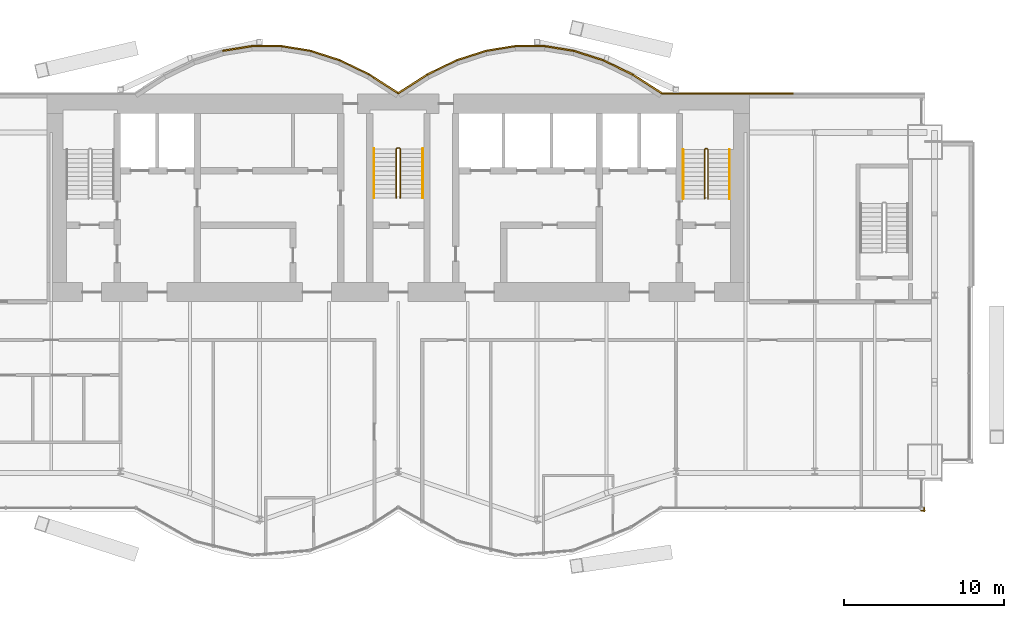
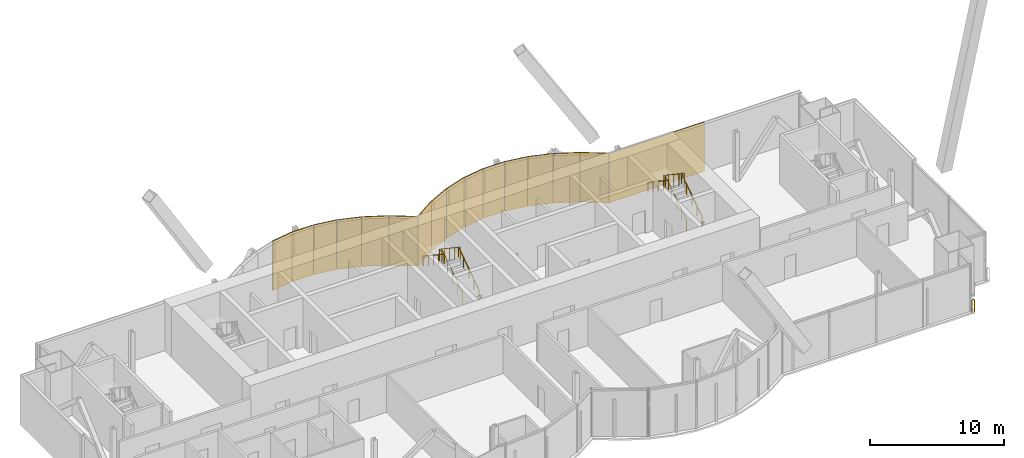
# One storey, part 21 of 22: 16 coverings, 7 railings.
"""IFC4 building model written with IfcOpenShell, lengths in metres."""

import ifcopenshell
import ifcopenshell.guid

model = None  # the IFC model being written
_history = None  # IfcOwnerHistory: only IFC2X3 demands one
_inside = {}  # id of a spatial element -> (the spatial element, [elements in it])
_under = {}  # id of a project, library or spatial element -> (it, [spatial elements below it])
_declared = {}  # id of a project -> (the project, [libraries it declares])
_typed = {}  # id of a type object -> (the type object, [elements of that type])
_made_of = {}  # id of a material, layer set ... -> (it, [elements and type objects made of it])


def new_model(schema):
    """Start an empty IFC model of exactly this schema.

    Asked for "IFC4X3", IfcOpenShell would pick the latest addendum, in which some entities
    have other attributes; the version numbers below select the first issue.
    IFC2X3 requires an IfcOwnerHistory on every rooted entity: one is made here for all.
    """
    global model, _history
    if schema == "IFC4X3":
        model = ifcopenshell.file(schema_version=(4, 3, 0, 0))
    else:
        model = ifcopenshell.file(schema=schema)
    _inside.clear()
    _under.clear()
    _declared.clear()
    _typed.clear()
    _made_of.clear()
    _history = None
    if model.schema == "IFC2X3":
        org = make("IfcOrganization", Name="unknown")
        user = make(
            "IfcPersonAndOrganization",
            ThePerson=make("IfcPerson", FamilyName="unknown"),
            TheOrganization=org,
        )
        app = make(
            "IfcApplication",
            ApplicationDeveloper=org,
            Version="unknown",
            ApplicationFullName="unknown",
            ApplicationIdentifier="unknown",
        )
        _history = make(
            "IfcOwnerHistory",
            OwningUser=user,
            OwningApplication=app,
            ChangeAction="ADDED",
            CreationDate=0,
        )
    return model


def make(cls, **values):
    """One entity of the class cls with the attributes given. An attribute that is None is left unset."""
    return model.create_entity(
        cls, **{name: value for name, value in values.items() if value is not None}
    )


def rooted(cls, **values):
    """An entity with a GlobalId (a new one), such as an element, a storey or a relation."""
    return make(cls, GlobalId=ifcopenshell.guid.new(), OwnerHistory=_history, **values)


def si_unit(unit_type, name, prefix=None):
    """IfcSIUnit, for example si_unit("LENGTHUNIT", "METRE", prefix="MILLI")."""
    return make("IfcSIUnit", UnitType=unit_type, Prefix=prefix, Name=name)


def assignment(units):
    """IfcUnitAssignment: the units of a project."""
    return None if units is None else make("IfcUnitAssignment", Units=units)


def point(xyz):
    """IfcCartesianPoint."""
    return None if xyz is None else make("IfcCartesianPoint", Coordinates=xyz)


def direction(xyz):
    """IfcDirection."""
    return None if xyz is None else make("IfcDirection", DirectionRatios=xyz)


def frame(location, z_axis=None, x_axis=None):
    """IfcAxis2Placement3D, a coordinate frame: its origin and axes. An axis left out is left unset."""
    return make(
        "IfcAxis2Placement3D",
        Location=point(location),
        Axis=direction(z_axis),
        RefDirection=direction(x_axis),
    )


def frame_2d(location, x_axis=None):
    """IfcAxis2Placement2D, a coordinate frame in the plane: its origin and x axis."""
    return make(
        "IfcAxis2Placement2D", Location=point(location), RefDirection=direction(x_axis)
    )


def origin():
    """The frame at (0, 0, 0) with its axes left unset."""
    return frame((0.0, 0.0, 0.0))


def origin_2d():
    """The frame at (0, 0) in the plane with its x axis left unset."""
    return frame_2d((0.0, 0.0))


def place(relative_to, where):
    """IfcLocalPlacement: puts the frame where relative to a parent placement (None: the world)."""
    return make(
        "IfcLocalPlacement", PlacementRelTo=relative_to, RelativePlacement=where
    )


def context(
    kind, dimensions, precision=None, world=None, true_north=None, identifier=None
):
    """IfcGeometricRepresentationContext, for example the 3D "Model" context."""
    return make(
        "IfcGeometricRepresentationContext",
        ContextIdentifier=identifier,
        ContextType=kind,
        CoordinateSpaceDimension=dimensions,
        Precision=precision,
        WorldCoordinateSystem=world,
        TrueNorth=true_north,
    )


def subcontext(parent, identifier, kind, view, scale=None):
    """IfcGeometricRepresentationSubContext, for example "Body" below "Model"."""
    return make(
        "IfcGeometricRepresentationSubContext",
        ContextIdentifier=identifier,
        ContextType=kind,
        ParentContext=parent,
        TargetScale=scale,
        TargetView=view,
    )


def project(units=None, contexts=None):
    """IfcProject with its units and contexts."""
    return rooted(
        "IfcProject",
        Name="project",
        RepresentationContexts=contexts,
        UnitsInContext=assignment(units),
    )


def spatial(cls, under=None, at=None, **own):
    """A site, building, storey or space (cls), placed at a placement, below another one or the project."""
    s = rooted(cls, ObjectPlacement=at, **own)
    if under is not None:
        _under.setdefault(under.id(), (under, []))[1].append(s)
    return s


def profile(cls, at=None, kind="AREA", **sizes):
    """A parametric profile (cls). Its sizes go by their IFC names, for example OverallWidth=200.0."""
    return make(cls, ProfileType=kind, Position=at, **sizes)


def rectangle(**sizes):
    """IfcRectangleProfileDef."""
    return profile("IfcRectangleProfileDef", **sizes)


def circle(**sizes):
    """IfcCircleProfileDef."""
    return profile("IfcCircleProfileDef", **sizes)


def extrude(swept, where, along, depth):
    """IfcExtrudedAreaSolid: the profile swept, set in the frame where, extruded along a direction by depth."""
    return make(
        "IfcExtrudedAreaSolid",
        SweptArea=swept,
        Position=where,
        ExtrudedDirection=direction(along),
        Depth=depth,
    )


def shape(context_of_items, identifier, shape_type, items):
    """IfcShapeRepresentation: the items that make up one representation, for example the "Body"."""
    return make(
        "IfcShapeRepresentation",
        ContextOfItems=context_of_items,
        RepresentationIdentifier=identifier,
        RepresentationType=shape_type,
        Items=items,
    )


def material(Name=None, Category=None):
    """IfcMaterial."""
    return make("IfcMaterial", Name=Name, Category=Category)


def layer(
    of_material, thickness, ventilated=None, Name=None, Category=None, Priority=None
):
    """IfcMaterialLayer: one layer of a wall or slab, of a material (None: an air gap)."""
    return make(
        "IfcMaterialLayer",
        Material=of_material,
        LayerThickness=thickness,
        IsVentilated=ventilated,
        Name=Name,
        Category=Category,
        Priority=Priority,
    )


def layer_set(layers, Name=None):
    """IfcMaterialLayerSet."""
    return make("IfcMaterialLayerSet", MaterialLayers=layers, LayerSetName=Name)


def made_of(thing, what):
    """Note that an element or type object is made of a material, layer set ...; save() writes the relation."""
    if what is not None:
        _made_of.setdefault(what.id(), (what, []))[1].append(thing)
    return thing


def type_object(cls, material=None, **own):
    """A type object (cls), such as IfcWallType, which elements share."""
    return made_of(rooted(cls, **own), material)


def element(
    cls,
    number,
    at=None,
    inside=None,
    cuts=None,
    type_object=None,
    material=None,
    context=None,
    identifier="Body",
    shape_type=None,
    held_by="IfcProductDefinitionShape",
    body=None,
    shapes=None,
    **own,
):
    """One element of the class cls, such as IfcWall. Its Tag is "e" and its number.

    at: its placement. inside: the storey or other place that contains it. cuts: it is an
    opening in that element (IfcRelVoidsElement). A single representation is given by context,
    identifier, shape_type and body (its items); several are given by shapes. held_by: the class
    of the entity that holds the representations. save() writes the other relations.
    """
    e = rooted(cls, Tag="e%d" % number, ObjectPlacement=at, **own)
    if body is not None:
        shapes = [shape(context, identifier, shape_type, body)]
    if shapes is not None:
        e.Representation = make(held_by, Representations=shapes)
    if inside is not None:
        _inside.setdefault(inside.id(), (inside, []))[1].append(e)
    if cuts is not None:
        rooted(
            "IfcRelVoidsElement", RelatingBuildingElement=cuts, RelatedOpeningElement=e
        )
    if type_object is not None:
        _typed.setdefault(type_object.id(), (type_object, []))[1].append(e)
    return made_of(e, material)


def aggregate(whole, parts):
    """IfcRelAggregates: a whole, such as a stair, and the parts it consists of."""
    return rooted("IfcRelAggregates", RelatingObject=whole, RelatedObjects=parts)


def save(model, path):
    """Write the relations noted so far, then the file.

    IfcRelAggregates (storeys below a building ...), IfcRelContainedInSpatialStructure (elements
    in a storey), IfcRelDefinesByType, IfcRelAssociatesMaterial and IfcRelDeclares: one each for
    every whole, place, type object, material and project.
    """
    for whole, parts in _under.values():
        aggregate(whole, parts)
    for where, things in _inside.values():
        rooted(
            "IfcRelContainedInSpatialStructure",
            RelatedElements=things,
            RelatingStructure=where,
        )
    for kind, things in _typed.values():
        rooted("IfcRelDefinesByType", RelatedObjects=things, RelatingType=kind)
    for what, things in _made_of.values():
        rooted("IfcRelAssociatesMaterial", RelatedObjects=things, RelatingMaterial=what)
    for by, libraries in _declared.values():
        rooted("IfcRelDeclares", RelatingContext=by, RelatedDefinitions=libraries)
    model.write(path)


model = new_model("IFC4")

# Units and contexts
model_context = context("Model", 3, precision=1e-05, world=origin(), true_north=direction((0.0, 1.0)))
body_context = subcontext(model_context, "Body", "Model", "MODEL_VIEW")
ifc_project = project(units=[si_unit("LENGTHUNIT", "METRE"), si_unit("AREAUNIT", "SQUARE_METRE"), si_unit("VOLUMEUNIT", "CUBIC_METRE"), si_unit("PLANEANGLEUNIT", "RADIAN"), si_unit("MASSUNIT", "GRAM", prefix="KILO")], contexts=[model_context])

# Site, building, storey
site_placement = place(None, origin())
site = spatial("IfcSite", under=ifc_project, at=site_placement, CompositionType="ELEMENT")
building_placement = place(site_placement, origin())
building = spatial("IfcBuilding", under=site, at=building_placement, Name="Bicima Exchange Tower", CompositionType="ELEMENT")
storey_placement = place(building_placement, frame((0.0, 0.0, 315.5)))
storey = spatial("IfcBuildingStorey", under=building, at=storey_placement, Name="L71", CompositionType="ELEMENT", Elevation=315.5)

# Coverings
ifc_material_1 = material(Name="Bronze metal cladding")
ifc_layer_1 = layer(ifc_material_1, 0.004)
ifc_material_2 = material(Name="Ventilated cavity")
ifc_layer_2 = layer(ifc_material_2, 0.06)
ifc_material_3 = material(Name="Galvanised steel rail and mineral wool", Category="steel")
ifc_layer_3 = layer(ifc_material_3, 0.036)
ifc_layer_set = layer_set([ifc_layer_1, ifc_layer_2, ifc_layer_3], Name="Ventilated cavity")
covering_type = type_object("IfcCoveringType", Name="Bronze metal cladding panel 100", PredefinedType="CLADDING", material=ifc_layer_set)
covering_1_placement = place(storey_placement, frame((20.625, 0.050048828125, -0.14990234375), z_axis=(0.0, 0.0, 1.0), x_axis=(-1.0, 0.0, 0.0)))
element("IfcCovering", 1, at=covering_1_placement, inside=storey, type_object=covering_type, Name="Bronze cladding L71 1.2", PredefinedType="CLADDING", context=body_context, shape_type="SweptSolid", body=[
    extrude(rectangle(XDim=8.25, YDim=0.10009765625, at=origin_2d()), origin(), (0.0, 0.0, 1.0), 4.5),
])
covering_2_placement = place(storey_placement, frame((15.610595703125, 0.634521484375, -0.14990234375), z_axis=(0.0, 0.0, 1.0), x_axis=(-0.839790466384, 0.542910648791, 0.0)))
element("IfcCovering", 2, at=covering_2_placement, inside=storey, type_object=covering_type, Name="Bronze cladding L71 2.1", PredefinedType="CLADDING", context=body_context, shape_type="SweptSolid", body=[
    extrude(rectangle(XDim=2.18310546875, YDim=0.10009765625, at=origin_2d()), origin(), (0.0, 0.0, 1.0), 4.5),
])
covering_3_placement = place(storey_placement, frame((13.771728515625, 1.674560546875, -0.14990234375), z_axis=(0.0, 0.0, 1.0), x_axis=(-0.899818346812, 0.436264762204, 0.0)))
element("IfcCovering", 3, at=covering_3_placement, inside=storey, type_object=covering_type, Name="Bronze cladding L71 3.1", PredefinedType="CLADDING", context=body_context, shape_type="SweptSolid", body=[
    extrude(rectangle(XDim=2.03759765625, YDim=0.10009765625, at=origin_2d()), origin(), (0.0, 0.0, 1.0), 4.5),
])
covering_4_placement = place(storey_placement, frame((11.931884765625, 2.41796875, -0.14990234375), z_axis=(0.0, 0.0, 1.0), x_axis=(-0.951524642381, 0.307572519808, 0.0)))
element("IfcCovering", 4, at=covering_4_placement, inside=storey, type_object=covering_type, Name="Bronze cladding L71 4.1", PredefinedType="CLADDING", context=body_context, shape_type="SweptSolid", body=[
    extrude(rectangle(XDim=1.9267578125, YDim=0.10009765625, at=origin_2d()), origin(), (0.0, 0.0, 1.0), 4.5),
])
covering_5_placement = place(storey_placement, frame((10.09130859375, 2.8642578125, -0.14990234375), z_axis=(0.0, 0.0, 1.0), x_axis=(-0.987189786347, 0.159550386184, 0.0)))
element("IfcCovering", 5, at=covering_5_placement, inside=storey, type_object=covering_type, Name="Bronze cladding L71 5.1", PredefinedType="CLADDING", context=body_context, shape_type="SweptSolid", body=[
    extrude(rectangle(XDim=1.857177734375, YDim=0.10009765625, at=origin_2d()), origin(), (0.0, 0.0, 1.0), 4.5),
])
covering_6_placement = place(storey_placement, frame((8.25, 3.012939453125, -0.14990234375), z_axis=(0.0, 0.0, 1.0), x_axis=(-1.0, 0.0, 0.0)))
element("IfcCovering", 6, at=covering_6_placement, inside=storey, type_object=covering_type, Name="Bronze cladding L71 6.1", PredefinedType="CLADDING", context=body_context, shape_type="SweptSolid", body=[
    extrude(rectangle(XDim=1.83349609375, YDim=0.10009765625, at=origin_2d()), origin(), (0.0, 0.0, 1.0), 4.5),
])
covering_7_placement = place(storey_placement, frame((6.40869140625, 2.8642578125, -0.14990234375), z_axis=(0.0, 0.0, 1.0), x_axis=(-0.987189786347, -0.159550386184, 0.0)))
element("IfcCovering", 7, at=covering_7_placement, inside=storey, type_object=covering_type, Name="Bronze cladding L71 7.1", PredefinedType="CLADDING", context=body_context, shape_type="SweptSolid", body=[
    extrude(rectangle(XDim=1.857177734375, YDim=0.10009765625, at=origin_2d()), origin(), (0.0, 0.0, 1.0), 4.5),
])
covering_8_placement = place(storey_placement, frame((4.568115234375, 2.41796875, -0.14990234375), z_axis=(0.0, 0.0, 1.0), x_axis=(-0.951524642381, -0.307572519808, 0.0)))
element("IfcCovering", 8, at=covering_8_placement, inside=storey, type_object=covering_type, Name="Bronze cladding L71 8.1", PredefinedType="CLADDING", context=body_context, shape_type="SweptSolid", body=[
    extrude(rectangle(XDim=1.9267578125, YDim=0.10009765625, at=origin_2d()), origin(), (0.0, 0.0, 1.0), 4.5),
])
covering_9_placement = place(storey_placement, frame((2.728271484375, 1.674560546875, -0.14990234375), z_axis=(0.0, 0.0, 1.0), x_axis=(-0.899818346812, -0.436264762204, 0.0)))
element("IfcCovering", 9, at=covering_9_placement, inside=storey, type_object=covering_type, Name="Bronze cladding L71 9.1", PredefinedType="CLADDING", context=body_context, shape_type="SweptSolid", body=[
    extrude(rectangle(XDim=2.03759765625, YDim=0.10009765625, at=origin_2d()), origin(), (0.0, 0.0, 1.0), 4.5),
])
for number, where, z_axis, x_axis, name in (
    (10, (0.889404296875, 0.634521484375, -0.14990234375), (0.0, 0.0, 1.0), (-0.839790466384, -0.542910648791, 0.0), "Bronze cladding L71 10.1"),
    (11, (-0.889404296875, 0.634521484375, -0.14990234375), (0.0, 0.0, 1.0), (-0.839790466384, 0.542910648791, 0.0), "Bronze cladding L71 11.1"),
):
    element("IfcCovering", number, at=place(storey_placement, frame(where, z_axis=z_axis, x_axis=x_axis)), inside=storey, type_object=covering_type, Name=name, PredefinedType="CLADDING", context=body_context, shape_type="SweptSolid", body=[
        extrude(rectangle(XDim=2.18310546875, YDim=0.10009765625, at=origin_2d()), origin(), (0.0, 0.0, 1.0), 4.5),
    ])
covering_10_placement = place(storey_placement, frame((-2.728271484375, 1.674560546875, -0.14990234375), z_axis=(0.0, 0.0, 1.0), x_axis=(-0.899818346812, 0.436264762204, 0.0)))
element("IfcCovering", 12, at=covering_10_placement, inside=storey, type_object=covering_type, Name="Bronze cladding L71 12.1", PredefinedType="CLADDING", context=body_context, shape_type="SweptSolid", body=[
    extrude(rectangle(XDim=2.03759765625, YDim=0.10009765625, at=origin_2d()), origin(), (0.0, 0.0, 1.0), 4.5),
])
covering_11_placement = place(storey_placement, frame((-4.568115234375, 2.41796875, -0.14990234375), z_axis=(0.0, 0.0, 1.0), x_axis=(-0.951524642381, 0.307572519808, 0.0)))
element("IfcCovering", 13, at=covering_11_placement, inside=storey, type_object=covering_type, Name="Bronze cladding L71 13.1", PredefinedType="CLADDING", context=body_context, shape_type="SweptSolid", body=[
    extrude(rectangle(XDim=1.9267578125, YDim=0.10009765625, at=origin_2d()), origin(), (0.0, 0.0, 1.0), 4.5),
])
covering_12_placement = place(storey_placement, frame((-6.40869140625, 2.8642578125, -0.14990234375), z_axis=(0.0, 0.0, 1.0), x_axis=(-0.987189786347, 0.159550386184, 0.0)))
element("IfcCovering", 14, at=covering_12_placement, inside=storey, type_object=covering_type, Name="Bronze cladding L71 14.1", PredefinedType="CLADDING", context=body_context, shape_type="SweptSolid", body=[
    extrude(rectangle(XDim=1.857177734375, YDim=0.10009765625, at=origin_2d()), origin(), (0.0, 0.0, 1.0), 4.5),
])
covering_13_placement = place(storey_placement, frame((-8.25, 3.012939453125, -0.14990234375), z_axis=(0.0, 0.0, 1.0), x_axis=(-1.0, 0.0, 0.0)))
element("IfcCovering", 15, at=covering_13_placement, inside=storey, type_object=covering_type, Name="Bronze cladding L71 15.1", PredefinedType="CLADDING", context=body_context, shape_type="SweptSolid", body=[
    extrude(rectangle(XDim=1.83349609375, YDim=0.10009765625, at=origin_2d()), origin(), (0.0, 0.0, 1.0), 4.5),
])
covering_14_placement = place(storey_placement, frame((-10.09130859375, 2.8642578125, -0.14990234375), z_axis=(0.0, 0.0, 1.0), x_axis=(-0.987189786347, -0.159550386184, 0.0)))
element("IfcCovering", 16, at=covering_14_placement, inside=storey, type_object=covering_type, Name="Bronze cladding L71 16.1", PredefinedType="CLADDING", context=body_context, shape_type="SweptSolid", body=[
    extrude(rectangle(XDim=1.857177734375, YDim=0.10009765625, at=origin_2d()), origin(), (0.0, 0.0, 1.0), 4.5),
])

# Railings
ifc_material_4 = material(Name="Stainless steel and bonded safety glass", Category="steel")
railing_type_1 = type_object("IfcRailingType", Name="Edge guard 1100", PredefinedType="GUARDRAIL", material=ifc_material_4)
railing_1_placement = place(storey_placement, frame((32.949951171875, -25.902099609375, 0.0)))
element("IfcRailing", 17, at=railing_1_placement, inside=storey, type_object=railing_type_1, Name="Edge guard L71 370", PredefinedType="GUARDRAIL", context=body_context, shape_type="SweptSolid", body=[
    extrude(circle(Radius=0.02392578125, at=origin_2d()), frame((0.0, 0.0, 1.076171875), z_axis=(0.0, -1.0, 0.0), x_axis=(1.0, 0.0, 0.0)), (0.0, 0.0, 1.0), 0.23779296875),
    extrude(circle(Radius=0.02392578125, at=origin_2d()), frame((0.0, -0.23779296875, 1.076171875), z_axis=(0.708833529934, 0.705375805398, 0.0), x_axis=(-0.705375805398, 0.708833529934, 0.0)), (0.0, 0.0, 1.0), 0.070556640625),
    extrude(circle(Radius=0.02392578125, at=origin_2d()), frame((0.050048828125, -0.18798828125, 1.076171875), z_axis=(-1.0, 0.0, 0.0), x_axis=(0.0, -1.0, 0.0)), (0.0, 0.0, 1.0), 0.25),
    extrude(circle(Radius=0.02099609375, at=origin_2d()), origin(), (0.0, 0.0, 1.0), 1.052001953125),
    extrude(circle(Radius=0.02099609375, at=origin_2d()), frame((0.0, -0.23779296875, 0.0)), (0.0, 0.0, 1.0), 1.052001953125),
    extrude(circle(Radius=0.02099609375, at=origin_2d()), frame((0.050048828125, -0.18798828125, 0.0)), (0.0, 0.0, 1.0), 1.052001953125),
    extrude(circle(Radius=0.02099609375, at=origin_2d()), frame((-0.199951171875, -0.18798828125, 0.0)), (0.0, 0.0, 1.0), 1.052001953125),
])
ifc_material_5 = material(Name="Stainless steel", Category="steel")
railing_type_2 = type_object("IfcRailingType", Name="Stair guard 1100", PredefinedType="GUARDRAIL", material=ifc_material_5)
railing_2_placement = place(storey_placement, frame((0.125, -6.5, 0.1875)))
element("IfcRailing", 18, at=railing_2_placement, inside=storey, type_object=railing_type_2, Name="L71 ST-C stair guard 1", PredefinedType="GUARDRAIL", context=body_context, shape_type="SweptSolid", body=[
    extrude(circle(Radius=0.02392578125, at=origin_2d()), frame((0.0, 0.0, 1.076171875), z_axis=(0.0, 0.830913701846, 0.55640131208), x_axis=(-1.0, 0.0, 0.0)), (0.0, 0.0, 1.0), 3.706787109375),
    extrude(circle(Radius=0.02392578125, at=origin_2d()), frame((0.0, 3.080078125, 3.138671875), z_axis=(-0.708833529934, 0.705375805398, 0.0), x_axis=(-0.705375805398, -0.708833529934, 0.0)), (0.0, 0.0, 1.0), 0.070556640625),
    extrude(circle(Radius=0.02392578125, at=origin_2d()), frame((-0.050048828125, 3.1298828125, 3.138671875), z_axis=(-1.0, 0.0, 0.0), x_axis=(0.0, -1.0, 0.0)), (0.0, 0.0, 1.0), 0.14990234375),
    extrude(circle(Radius=0.02392578125, at=origin_2d()), frame((-0.199951171875, 3.1298828125, 3.138671875), z_axis=(-0.249802250048, -0.248583702486, 0.935844527007), x_axis=(0.705375805398, -0.708833529934, 0.0)), (0.0, 0.0, 1.0), 0.200439453125),
    extrude(circle(Radius=0.02392578125, at=origin_2d()), frame((-0.25, 3.080078125, 3.326171875), z_axis=(0.0, -0.830913701846, 0.55640131208), x_axis=(1.0, 0.0, 0.0)), (0.0, 0.0, 1.0), 3.706787109375),
    extrude(circle(Radius=0.02099609375, at=origin_2d()), origin(), (0.0, 0.0, 1.0), 1.052001953125),
    extrude(circle(Radius=0.02099609375, at=origin_2d()), frame((0.0, 0.77001953125, 0.515625)), (0.0, 0.0, 1.0), 1.052001953125),
    extrude(circle(Radius=0.02099609375, at=origin_2d()), frame((0.0, 1.5400390625, 1.03125)), (0.0, 0.0, 1.0), 1.052001953125),
    extrude(circle(Radius=0.02099609375, at=origin_2d()), frame((0.0, 2.31005859375, 1.546875)), (0.0, 0.0, 1.0), 1.052001953125),
    extrude(circle(Radius=0.02099609375, at=origin_2d()), frame((0.0, 3.080078125, 2.0625)), (0.0, 0.0, 1.0), 1.052001953125),
    extrude(circle(Radius=0.02099609375, at=origin_2d()), frame((-0.050048828125, 3.1298828125, 2.0625)), (0.0, 0.0, 1.0), 1.052001953125),
    extrude(circle(Radius=0.02099609375, at=origin_2d()), frame((-0.199951171875, 3.1298828125, 2.0625)), (0.0, 0.0, 1.0), 1.052001953125),
    extrude(circle(Radius=0.02099609375, at=origin_2d()), frame((-0.25, 3.080078125, 2.25)), (0.0, 0.0, 1.0), 1.052001953125),
    extrude(circle(Radius=0.02099609375, at=origin_2d()), frame((-0.25, 2.31005859375, 2.765625)), (0.0, 0.0, 1.0), 1.052001953125),
    extrude(circle(Radius=0.02099609375, at=origin_2d()), frame((-0.25, 1.5400390625, 3.28125)), (0.0, 0.0, 1.0), 1.052001953125),
    extrude(circle(Radius=0.02099609375, at=origin_2d()), frame((-0.25, 0.77001953125, 3.796875)), (0.0, 0.0, 1.0), 1.052001953125),
    extrude(circle(Radius=0.02099609375, at=origin_2d()), frame((-0.25, 0.0, 4.3125)), (0.0, 0.0, 1.0), 1.052001953125),
])
railing_3_placement = place(storey_placement, frame((19.39990234375, -6.550048828125, 0.1875)))
element("IfcRailing", 19, at=railing_3_placement, inside=storey, type_object=railing_type_2, Name="L71 ST-E stair guard 1", PredefinedType="GUARDRAIL", context=body_context, shape_type="SweptSolid", body=[
    extrude(circle(Radius=0.02392578125, at=origin_2d()), frame((0.0, 0.0, 1.076171875), z_axis=(0.0, 0.830913701846, 0.55640131208), x_axis=(-1.0, 0.0, 0.0)), (0.0, 0.0, 1.0), 3.706787109375),
    extrude(circle(Radius=0.02392578125, at=origin_2d()), frame((0.0, 3.080078125, 3.138671875), z_axis=(-0.705375805398, 0.708833529934, 0.0), x_axis=(-0.708833529934, -0.705375805398, 0.0)), (0.0, 0.0, 1.0), 0.070556640625),
    extrude(circle(Radius=0.02392578125, at=origin_2d()), frame((-0.0498046875, 3.130126953125, 3.138671875), z_axis=(-1.0, 0.0, 0.0), x_axis=(0.0, -1.0, 0.0)), (0.0, 0.0, 1.0), 0.10009765625),
    extrude(circle(Radius=0.02392578125, at=origin_2d()), frame((-0.14990234375, 3.130126953125, 3.138671875), z_axis=(-0.249726431254, -0.249726431254, 0.935560483917), x_axis=(0.707106781187, -0.707106781187, 0.0)), (0.0, 0.0, 1.0), 0.200439453125),
    extrude(circle(Radius=0.02392578125, at=origin_2d()), frame((-0.199951171875, 3.080078125, 3.326171875), z_axis=(0.0, -0.830913701846, 0.55640131208), x_axis=(1.0, 0.0, 0.0)), (0.0, 0.0, 1.0), 3.706787109375),
    extrude(circle(Radius=0.02099609375, at=origin_2d()), origin(), (0.0, 0.0, 1.0), 1.052001953125),
    extrude(circle(Radius=0.02099609375, at=origin_2d()), frame((0.0, 0.77001953125, 0.515625)), (0.0, 0.0, 1.0), 1.052001953125),
    extrude(circle(Radius=0.02099609375, at=origin_2d()), frame((0.0, 1.5400390625, 1.03125)), (0.0, 0.0, 1.0), 1.052001953125),
    extrude(circle(Radius=0.02099609375, at=origin_2d()), frame((0.0, 2.31005859375, 1.546875)), (0.0, 0.0, 1.0), 1.052001953125),
    extrude(circle(Radius=0.02099609375, at=origin_2d()), frame((0.0, 3.080078125, 2.0625)), (0.0, 0.0, 1.0), 1.052001953125),
    extrude(circle(Radius=0.02099609375, at=origin_2d()), frame((-0.0498046875, 3.130126953125, 2.0625)), (0.0, 0.0, 1.0), 1.052001953125),
    extrude(circle(Radius=0.02099609375, at=origin_2d()), frame((-0.14990234375, 3.130126953125, 2.0625)), (0.0, 0.0, 1.0), 1.052001953125),
    extrude(circle(Radius=0.02099609375, at=origin_2d()), frame((-0.199951171875, 3.080078125, 2.25)), (0.0, 0.0, 1.0), 1.052001953125),
    extrude(circle(Radius=0.02099609375, at=origin_2d()), frame((-0.199951171875, 2.31005859375, 2.765625)), (0.0, 0.0, 1.0), 1.052001953125),
    extrude(circle(Radius=0.02099609375, at=origin_2d()), frame((-0.199951171875, 1.5400390625, 3.28125)), (0.0, 0.0, 1.0), 1.052001953125),
    extrude(circle(Radius=0.02099609375, at=origin_2d()), frame((-0.199951171875, 0.77001953125, 3.796875)), (0.0, 0.0, 1.0), 1.052001953125),
    extrude(circle(Radius=0.02099609375, at=origin_2d()), frame((-0.199951171875, 0.0, 4.3125)), (0.0, 0.0, 1.0), 1.052001953125),
])
railing_type_3 = type_object("IfcRailingType", Name="Stair handrail 900", PredefinedType="HANDRAIL", material=ifc_material_5)
railing_4_placement = place(storey_placement, frame((1.52490234375, -6.5, 0.1875)))
element("IfcRailing", 20, at=railing_4_placement, inside=storey, type_object=railing_type_3, Name="L71 ST-C stair handrail 1", PredefinedType="HANDRAIL", context=body_context, shape_type="SweptSolid", body=[
    extrude(circle(Radius=0.02392578125, at=origin_2d()), frame((0.0, 0.0, 0.8759765625), z_axis=(0.0, 0.830913701846, 0.55640131208), x_axis=(-1.0, 0.0, 0.0)), (0.0, 0.0, 1.0), 3.706787109375),
    extrude(circle(Radius=0.02099609375, at=origin_2d()), origin(), (0.0, 0.0, 1.0), 0.851806640625),
    extrude(circle(Radius=0.02099609375, at=origin_2d()), frame((0.0, 0.77001953125, 0.515625)), (0.0, 0.0, 1.0), 0.851806640625),
    extrude(circle(Radius=0.02099609375, at=origin_2d()), frame((0.0, 1.5400390625, 1.03125)), (0.0, 0.0, 1.0), 0.851806640625),
    extrude(circle(Radius=0.02099609375, at=origin_2d()), frame((0.0, 2.31005859375, 1.546875)), (0.0, 0.0, 1.0), 0.851806640625),
    extrude(circle(Radius=0.02099609375, at=origin_2d()), frame((0.0, 3.080078125, 2.0625)), (0.0, 0.0, 1.0), 0.851806640625),
])
railing_5_placement = place(storey_placement, frame((-1.52490234375, -3.419921875, 2.47900390625)))
element("IfcRailing", 21, at=railing_5_placement, inside=storey, type_object=railing_type_3, Name="L71 ST-C stair handrail 2", PredefinedType="HANDRAIL", context=body_context, shape_type="SweptSolid", body=[
    extrude(circle(Radius=0.02392578125, at=origin_2d()), frame((0.0, 0.0, 0.8759765625), z_axis=(0.0, -0.830913701846, 0.55640131208), x_axis=(1.0, 0.0, 0.0)), (0.0, 0.0, 1.0), 3.706787109375),
    extrude(circle(Radius=0.02099609375, at=origin_2d()), origin(), (0.0, 0.0, 1.0), 0.851806640625),
    extrude(circle(Radius=0.02099609375, at=origin_2d()), frame((0.0, -0.77001953125, 0.515625)), (0.0, 0.0, 1.0), 0.851806640625),
    extrude(circle(Radius=0.02099609375, at=origin_2d()), frame((0.0, -1.5400390625, 1.03125)), (0.0, 0.0, 1.0), 0.851806640625),
    extrude(circle(Radius=0.02099609375, at=origin_2d()), frame((0.0, -2.31005859375, 1.546875)), (0.0, 0.0, 1.0), 0.851806640625),
    extrude(circle(Radius=0.02099609375, at=origin_2d()), frame((0.0, -3.080078125, 2.0625)), (0.0, 0.0, 1.0), 0.851806640625),
])
railing_6_placement = place(storey_placement, frame((20.75, -6.550048828125, 0.1875)))
element("IfcRailing", 22, at=railing_6_placement, inside=storey, type_object=railing_type_3, Name="L71 ST-E stair handrail 1", PredefinedType="HANDRAIL", context=body_context, shape_type="SweptSolid", body=[
    extrude(circle(Radius=0.02392578125, at=origin_2d()), frame((0.0, 0.0, 0.8759765625), z_axis=(0.0, 0.830913701846, 0.55640131208), x_axis=(-1.0, 0.0, 0.0)), (0.0, 0.0, 1.0), 3.706787109375),
    extrude(circle(Radius=0.02099609375, at=origin_2d()), origin(), (0.0, 0.0, 1.0), 0.851806640625),
    extrude(circle(Radius=0.02099609375, at=origin_2d()), frame((0.0, 0.77001953125, 0.515625)), (0.0, 0.0, 1.0), 0.851806640625),
    extrude(circle(Radius=0.02099609375, at=origin_2d()), frame((0.0, 1.5400390625, 1.03125)), (0.0, 0.0, 1.0), 0.851806640625),
    extrude(circle(Radius=0.02099609375, at=origin_2d()), frame((0.0, 2.31005859375, 1.546875)), (0.0, 0.0, 1.0), 0.851806640625),
    extrude(circle(Radius=0.02099609375, at=origin_2d()), frame((0.0, 3.080078125, 2.0625)), (0.0, 0.0, 1.0), 0.851806640625),
])
railing_7_placement = place(storey_placement, frame((17.85009765625, -3.469970703125, 2.47900390625)))
element("IfcRailing", 23, at=railing_7_placement, inside=storey, type_object=railing_type_3, Name="L71 ST-E stair handrail 2", PredefinedType="HANDRAIL", context=body_context, shape_type="SweptSolid", body=[
    extrude(circle(Radius=0.02392578125, at=origin_2d()), frame((0.0, 0.0, 0.8759765625), z_axis=(0.0, -0.830913701846, 0.55640131208), x_axis=(1.0, 0.0, 0.0)), (0.0, 0.0, 1.0), 3.706787109375),
    extrude(circle(Radius=0.02099609375, at=origin_2d()), origin(), (0.0, 0.0, 1.0), 0.851806640625),
    extrude(circle(Radius=0.02099609375, at=origin_2d()), frame((0.0, -0.77001953125, 0.515625)), (0.0, 0.0, 1.0), 0.851806640625),
    extrude(circle(Radius=0.02099609375, at=origin_2d()), frame((0.0, -1.5400390625, 1.03125)), (0.0, 0.0, 1.0), 0.851806640625),
    extrude(circle(Radius=0.02099609375, at=origin_2d()), frame((0.0, -2.31005859375, 1.546875)), (0.0, 0.0, 1.0), 0.851806640625),
    extrude(circle(Radius=0.02099609375, at=origin_2d()), frame((0.0, -3.080078125, 2.0625)), (0.0, 0.0, 1.0), 0.851806640625),
])

save(model, "model.ifc")
